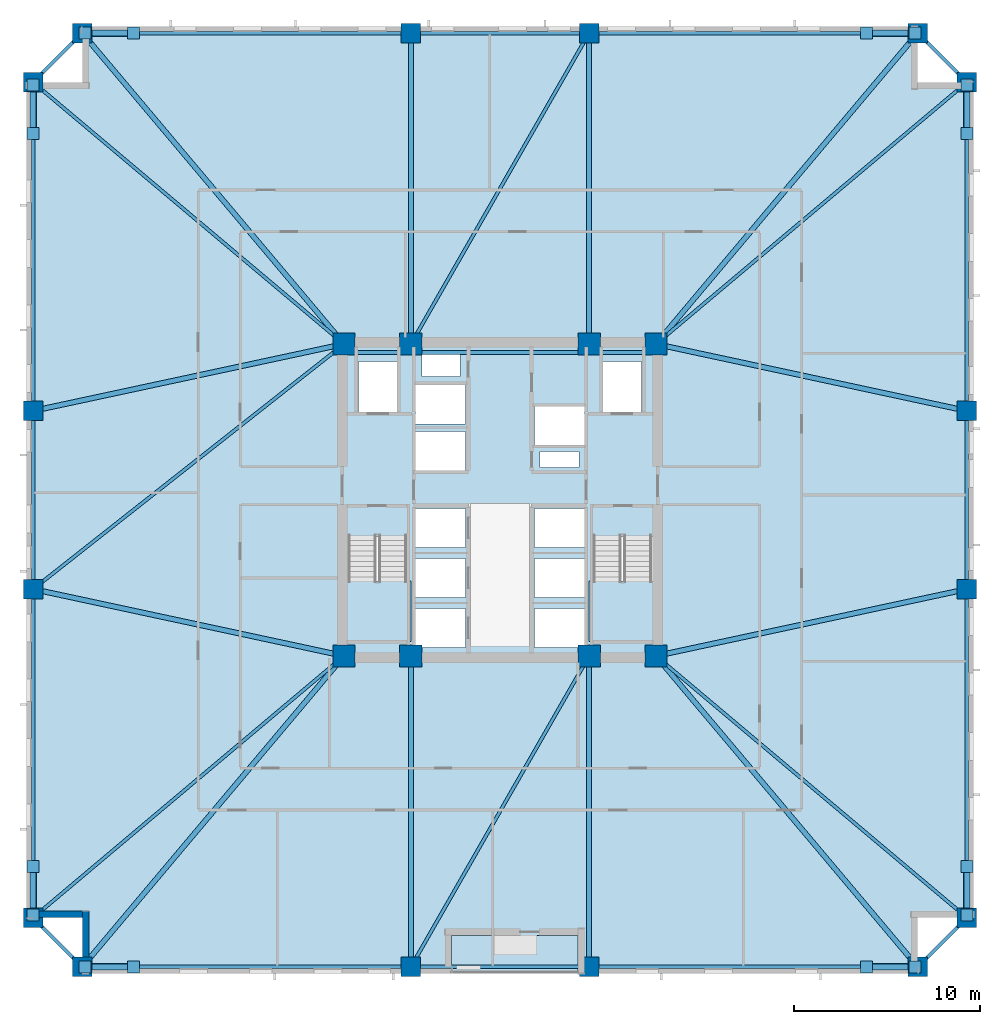
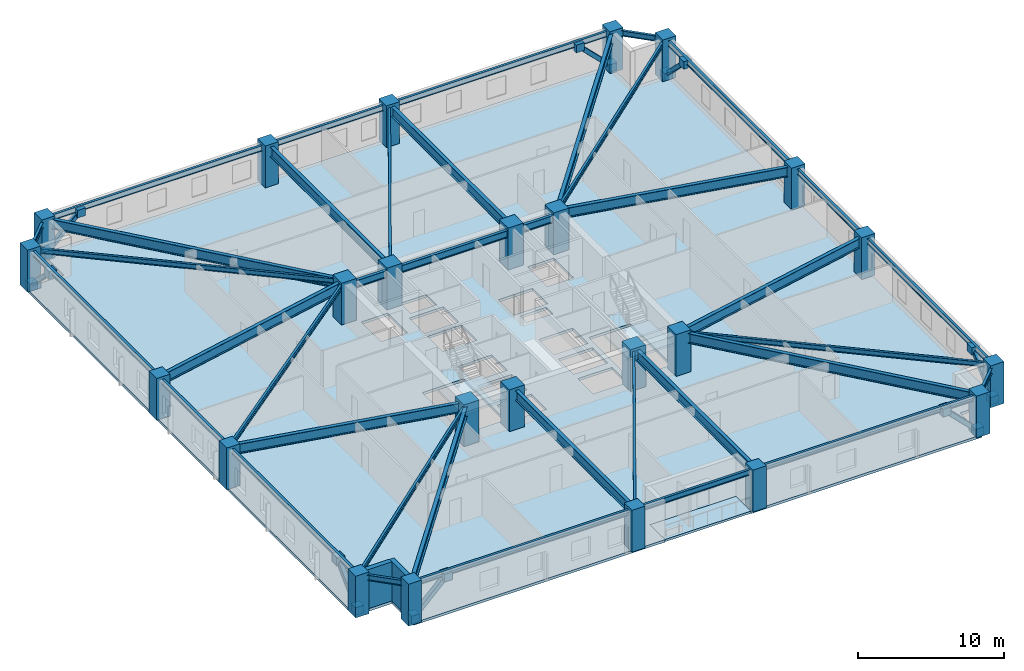
# One storey, part 1 of 11: 38 beams, 24 columns, 16 plates, 8 members, 4 slabs, 2 walls, 2 elements without a shape of their own.
"""IFC4 building model written with IfcOpenShell, lengths in metres."""

from ifc_helpers import new_model, si_unit, direction, frame, frame_2d, origin, origin_2d, place, context, subcontext, project, spatial, polyline, rectangle, hollow_rectangle, i_section, outline, extrude, material, layer, layer_set, material_profile, profile_set, type_object, element, aggregate, save


model = new_model("IFC4")

# Units and contexts
model_context = context("Model", 3, precision=1e-05, world=origin(), true_north=direction((0.0, 1.0)))
body_context = subcontext(model_context, "Body", "Model", "MODEL_VIEW")
ifc_project = project(units=[si_unit("LENGTHUNIT", "METRE"), si_unit("AREAUNIT", "SQUARE_METRE"), si_unit("VOLUMEUNIT", "CUBIC_METRE"), si_unit("PLANEANGLEUNIT", "RADIAN"), si_unit("MASSUNIT", "GRAM", prefix="KILO")], contexts=[model_context])

# Site, building, storey
site_placement = place(None, origin())
site = spatial("IfcSite", under=ifc_project, at=site_placement, CompositionType="ELEMENT")
building_placement = place(site_placement, origin())
building = spatial("IfcBuilding", under=site, at=building_placement, Name="Cairnveth Concourse Tower", CompositionType="ELEMENT")
storey_placement = place(building_placement, frame((0.0, 0.0, 41.0)))
storey = spatial("IfcBuildingStorey", under=building, at=storey_placement, Name="L10", CompositionType="ELEMENT", Elevation=41.0)

# Columns
ifc_material_1 = material(Name="Concrete N80 (80 MPa)", Category="concrete")
ifc_material_profile_1 = material_profile(ifc_material_1, rectangle(XDim=1.199951171875, YDim=1.199951171875, at=origin_2d()), Name="RC-COL-1200x1200")
ifc_profile_set_1 = profile_set([ifc_material_profile_1], Name="Concrete N80 (80 MPa)")
column_type_1 = type_object("IfcColumnType", Name="CORE COLUMN 1200X1200", PredefinedType="COLUMN", material=ifc_profile_set_1)
for number, where, z_axis, x_axis, name in (
    (1, (43.60009765625, 30.60009765625, 0.0), (0.0, 0.0, 1.0), (1.0, 0.0, 0.0), "Column CC1 L10"),
    (2, (47.199951171875, 30.60009765625, 0.0), (0.0, 0.0, 1.0), (1.0, 0.0, 0.0), "Column CC2 L10"),
    (3, (56.800048828125, 30.60009765625, 0.0), (0.0, 0.0, 1.0), (1.0, 0.0, 0.0), "Column CC3 L10"),
    (4, (60.39990234375, 30.60009765625, 0.0), (0.0, 0.0, 1.0), (1.0, 0.0, 0.0), "Column CC4 L10"),
    (5, (43.60009765625, 47.39990234375, 0.0), (0.0, 0.0, 1.0), (1.0, 0.0, 0.0), "Column CC5 L10"),
    (6, (47.199951171875, 47.39990234375, 0.0), (0.0, 0.0, 1.0), (1.0, 0.0, 0.0), "Column CC6 L10"),
    (7, (56.800048828125, 47.39990234375, 0.0), (0.0, 0.0, 1.0), (1.0, 0.0, 0.0), "Column CC7 L10"),
    (8, (60.39990234375, 47.39990234375, 0.0), (0.0, 0.0, 1.0), (1.0, 0.0, 0.0), "Column CC8 L10"),
):
    element("IfcColumn", number, at=place(storey_placement, frame(where, z_axis=z_axis, x_axis=x_axis)), inside=storey, type_object=column_type_1, Name=name, PredefinedType="COLUMN", context=body_context, shape_type="SweptSolid", body=[
        extrude(rectangle(XDim=1.199951171875, YDim=1.199951171875, at=origin_2d()), origin(), (0.0, 0.0, 1.0), 3.5),
    ])
ifc_material_2 = material(Name="Concrete N65 (65 MPa)", Category="concrete")
ifc_material_profile_2 = material_profile(ifc_material_2, rectangle(XDim=1.050048828125, YDim=1.050048828125, at=origin_2d()), Name="RC-COL-1050x1050")
ifc_profile_set_2 = profile_set([ifc_material_profile_2], Name="Concrete N65 (65 MPa)")
column_type_2 = type_object("IfcColumnType", Name="PERIMETER PIER COLUMN 1050X1050", PredefinedType="COLUMN", material=ifc_profile_set_2)
for number, where, z_axis, x_axis, name in (
    (9, (29.5, 13.85009765625, 0.0), (0.0, 0.0, 1.0), (1.0, 0.0, 0.0), "Column P-S1 L10"),
    (10, (47.199951171875, 13.85009765625, 0.0), (0.0, 0.0, 1.0), (1.0, 0.0, 0.0), "Column P-S2 L10"),
    (11, (56.800048828125, 13.85009765625, 0.0), (0.0, 0.0, 1.0), (1.0, 0.0, 0.0), "Column P-S3 L10"),
    (12, (74.5, 13.85009765625, 0.0), (0.0, 0.0, 1.0), (1.0, 0.0, 0.0), "Column P-S4 L10"),
    (13, (77.14990234375, 16.5, 0.0), (0.0, 0.0, 1.0), (0.0, 1.0, 0.0), "Column P-E1 L10"),
    (14, (77.14990234375, 34.199951171875, 0.0), (0.0, 0.0, 1.0), (0.0, 1.0, 0.0), "Column P-E2 L10"),
    (15, (77.14990234375, 43.800048828125, 0.0), (0.0, 0.0, 1.0), (0.0, 1.0, 0.0), "Column P-E3 L10"),
    (16, (77.14990234375, 61.5, 0.0), (0.0, 0.0, 1.0), (0.0, 1.0, 0.0), "Column P-E4 L10"),
    (17, (74.5, 64.14990234375, 0.0), (0.0, 0.0, 1.0), (1.0, 0.0, 0.0), "Column P-N1 L10"),
    (18, (56.800048828125, 64.14990234375, 0.0), (0.0, 0.0, 1.0), (1.0, 0.0, 0.0), "Column P-N2 L10"),
    (19, (47.199951171875, 64.14990234375, 0.0), (0.0, 0.0, 1.0), (1.0, 0.0, 0.0), "Column P-N3 L10"),
    (20, (29.5, 64.14990234375, 0.0), (0.0, 0.0, 1.0), (1.0, 0.0, 0.0), "Column P-N4 L10"),
    (21, (26.85009765625, 61.5, 0.0), (0.0, 0.0, 1.0), (0.0, 1.0, 0.0), "Column P-W1 L10"),
    (22, (26.85009765625, 43.800048828125, 0.0), (0.0, 0.0, 1.0), (0.0, 1.0, 0.0), "Column P-W2 L10"),
    (23, (26.85009765625, 34.199951171875, 0.0), (0.0, 0.0, 1.0), (0.0, 1.0, 0.0), "Column P-W3 L10"),
    (24, (26.85009765625, 16.5, 0.0), (0.0, 0.0, 1.0), (0.0, 1.0, 0.0), "Column P-W4 L10"),
):
    element("IfcColumn", number, at=place(storey_placement, frame(where, z_axis=z_axis, x_axis=x_axis)), inside=storey, type_object=column_type_2, Name=name, PredefinedType="COLUMN", context=body_context, shape_type="SweptSolid", body=[
        extrude(rectangle(XDim=1.050048828125, YDim=1.050048828125, at=origin_2d()), origin(), (0.0, 0.0, 1.0), 3.5),
    ])

# Beams
ifc_material_3 = material(Name="Steel Grade 350", Category="steel")
ifc_material_profile_3 = material_profile(ifc_material_3, i_section(OverallWidth=0.22802734375, OverallDepth=0.60693359375, WebThickness=0.01123046875, FlangeThickness=0.017333984375, FilletRadius=0.013916015625, at=origin_2d()), Name="610UB113")
ifc_profile_set_3 = profile_set([ifc_material_profile_3], Name="Steel Grade 350")
beam_type_1 = type_object("IfcBeamType", Name="CORE TIE BEAM 610UB113", PredefinedType="T_BEAM", material=ifc_profile_set_3)
for number, where, z_axis, x_axis, name in (
    (25, (43.60009765625, 46.949951171875, 2.9765625), (1.0, 0.0, 0.0), (0.0, 1.0, 0.0), "Beam CT-N1 L10"),
    (26, (56.800048828125, 46.949951171875, 2.9765625), (1.0, 0.0, 0.0), (0.0, 1.0, 0.0), "Beam CT-N3 L10"),
):
    element("IfcBeam", number, at=place(storey_placement, frame(where, z_axis=z_axis, x_axis=x_axis)), inside=storey, type_object=beam_type_1, Name=name, PredefinedType="T_BEAM", context=body_context, shape_type="SweptSolid", body=[
        extrude(i_section(OverallWidth=0.22802734375, OverallDepth=0.60693359375, WebThickness=0.01123046875, FlangeThickness=0.017333984375, FilletRadius=0.013916015625, at=origin_2d()), origin(), (0.0, 0.0, 1.0), 3.599853515625),
    ])
beam_1_placement = place(storey_placement, frame((47.199951171875, 46.949951171875, 2.9765625), z_axis=(1.0, 0.0, 0.0), x_axis=(0.0, 1.0, 0.0)))
element("IfcBeam", 27, at=beam_1_placement, inside=storey, type_object=beam_type_1, Name="Beam CT-N2 L10", PredefinedType="T_BEAM", context=body_context, shape_type="SweptSolid", body=[
    extrude(i_section(OverallWidth=0.22802734375, OverallDepth=0.60693359375, WebThickness=0.01123046875, FlangeThickness=0.017333984375, FilletRadius=0.013916015625, at=origin_2d()), origin(), (0.0, 0.0, 1.0), 9.60009765625),
])
ifc_material_profile_4 = material_profile(ifc_material_3, i_section(OverallWidth=0.177978515625, OverallDepth=0.406005859375, WebThickness=0.0078125, FlangeThickness=0.0126953125, FilletRadius=0.010986328125, at=origin_2d()), Name="410UB59.7")
ifc_profile_set_4 = profile_set([ifc_material_profile_4], Name="Steel Grade 350")
beam_type_2 = type_object("IfcBeamType", Name="ZONE 1 FLOOR JOIST 410UB59.7", PredefinedType="JOIST", material=ifc_profile_set_4)
for number, where, z_axis, x_axis, name in (
    (28, (26.85009765625, 16.5, 3.076904296875), (0.765027427674, 0.643997697905, 0.0), (-0.643997697905, 0.765027427674, 0.0), "Beam FJ-CSW2 L10"),
    (29, (77.14990234375, 16.5, 3.076904296875), (-0.765027427674, 0.643997697905, 0.0), (-0.643997697905, -0.765027427674, 0.0), "Beam FJ-CSE2 L10"),
    (30, (77.14990234375, 61.5, 3.076904296875), (-0.765027427674, -0.643997697905, 0.0), (0.643997697905, -0.765027427674, 0.0), "Beam FJ-CNE2 L10"),
    (31, (26.85009765625, 61.5, 3.076904296875), (0.765027427674, -0.643997697905, 0.0), (0.643997697905, 0.765027427674, 0.0), "Beam FJ-CNW2 L10"),
):
    element("IfcBeam", number, at=place(storey_placement, frame(where, z_axis=z_axis, x_axis=x_axis)), inside=storey, type_object=beam_type_2, Name=name, PredefinedType="JOIST", context=body_context, shape_type="SweptSolid", body=[
        extrude(i_section(OverallWidth=0.177978515625, OverallDepth=0.406005859375, WebThickness=0.0078125, FlangeThickness=0.0126953125, FilletRadius=0.010986328125, at=origin_2d()), origin(), (0.0, 0.0, 1.0), 21.89453125),
    ])
for number, where, z_axis, x_axis, name in (
    (32, (47.199951171875, 13.85009765625, 3.076904296875), (0.497257970706, 0.86760273776, 0.0), (-0.86760273776, 0.497257970706, 0.0), "Beam FJ-S-M1 L10"),
    (33, (47.199951171875, 47.39990234375, 3.076904296875), (0.497257970706, 0.86760273776, 0.0), (-0.86760273776, 0.497257970706, 0.0), "Beam FJ-N-M1 L10"),
):
    element("IfcBeam", number, at=place(storey_placement, frame(where, z_axis=z_axis, x_axis=x_axis)), inside=storey, type_object=beam_type_2, Name=name, PredefinedType="JOIST", context=body_context, shape_type="SweptSolid", body=[
        extrude(i_section(OverallWidth=0.177978515625, OverallDepth=0.406005859375, WebThickness=0.0078125, FlangeThickness=0.0126953125, FilletRadius=0.010986328125, at=origin_2d()), origin(), (0.0, 0.0, 1.0), 19.30615234375),
    ])
beam_2_placement = place(storey_placement, frame((26.85009765625, 34.199951171875, 3.076904296875), z_axis=(0.785423705995, 0.618958481694, 0.0), x_axis=(-0.618958481694, 0.785423705995, 0.0)))
element("IfcBeam", 34, at=beam_2_placement, inside=storey, type_object=beam_type_2, Name="Beam FJ-W-M1 L10", PredefinedType="JOIST", context=body_context, shape_type="SweptSolid", body=[
    extrude(i_section(OverallWidth=0.177978515625, OverallDepth=0.406005859375, WebThickness=0.0078125, FlangeThickness=0.0126953125, FilletRadius=0.010986328125, at=origin_2d()), origin(), (0.0, 0.0, 1.0), 21.326171875),
])

# Members
ifc_material_4 = material(Name="Steel C350L0 (350 MPa)", Category="steel")
ifc_material_profile_5 = material_profile(ifc_material_4, hollow_rectangle(XDim=0.35009765625, YDim=0.35009765625, WallThickness=0.01611328125, InnerFilletRadius=0.01611328125, OuterFilletRadius=0.031982421875, at=origin_2d()), Name="350x350x16.0SHS")
ifc_profile_set_5 = profile_set([ifc_material_profile_5], Name="Steel C350L0 (350 MPa)")
member_type = type_object("IfcMemberType", Name="ZONE 1 PIER BRACE 350X350X16SHS", PredefinedType="BRACE", material=ifc_profile_set_5)
for number, where, z_axis, x_axis, name in (
    (35, (29.64990234375, 13.85009765625, 0.25), (0.709834195787, 0.0, 0.704368805735), (0.0, 1.0, 0.0), "Structural Brace PB-S1 L10"),
    (36, (74.35009765625, 13.85009765625, 0.25), (-0.709834195787, 0.0, 0.704368805735), (0.0, -1.0, 0.0), "Structural Brace PB-S2 L10"),
    (37, (29.64990234375, 64.14990234375, 0.25), (0.709834195787, 0.0, 0.704368805735), (0.0, 1.0, 0.0), "Structural Brace PB-N1 L10"),
    (38, (74.35009765625, 64.14990234375, 0.25), (-0.709834195787, 0.0, 0.704368805735), (0.0, -1.0, 0.0), "Structural Brace PB-N2 L10"),
    (39, (26.85009765625, 16.64990234375, 0.25), (0.0, 0.709834195787, 0.704368805735), (-1.0, 0.0, 0.0), "Structural Brace PB-W1 L10"),
    (40, (26.85009765625, 61.35009765625, 0.25), (0.0, -0.709834195787, 0.704368805735), (1.0, 0.0, 0.0), "Structural Brace PB-W2 L10"),
    (41, (77.14990234375, 16.64990234375, 0.25), (0.0, 0.709834195787, 0.704368805735), (-1.0, 0.0, 0.0), "Structural Brace PB-E1 L10"),
    (42, (77.14990234375, 61.35009765625, 0.25), (0.0, -0.709834195787, 0.704368805735), (1.0, 0.0, 0.0), "Structural Brace PB-E2 L10"),
):
    element("IfcMember", number, at=place(storey_placement, frame(where, z_axis=z_axis, x_axis=x_axis)), inside=storey, type_object=member_type, Name=name, PredefinedType="BRACE", context=body_context, shape_type="SweptSolid", body=[
        extrude(hollow_rectangle(XDim=0.35009765625, YDim=0.35009765625, WallThickness=0.01611328125, InnerFilletRadius=0.01611328125, OuterFilletRadius=0.031982421875, at=origin_2d()), origin(), (0.0, 0.0, 1.0), 3.6630859375),
    ])

# Beams
ifc_material_profile_6 = material_profile(ifc_material_3, i_section(OverallWidth=0.27490234375, OverallDepth=0.81591796875, WebThickness=0.011962890625, FlangeThickness=0.028076171875, at=origin_2d()), Name="800WB192")
ifc_profile_set_6 = profile_set([ifc_material_profile_6], Name="Steel Grade 350")
beam_type_3 = type_object("IfcBeamType", Name="ZONE 1 RADIAL GIRDER 800WB192", PredefinedType="BEAM", material=ifc_profile_set_6)
for number, where, z_axis, x_axis, name in (
    (43, (47.199951171875, 13.85009765625, 2.8720703125), (0.0, 1.0, 0.0), (-1.0, 0.0, 0.0), "Beam RG-S1 L10"),
    (44, (56.800048828125, 13.85009765625, 2.8720703125), (0.0, 1.0, 0.0), (-1.0, 0.0, 0.0), "Beam RG-S2 L10"),
    (45, (47.199951171875, 47.39990234375, 2.8720703125), (0.0, 1.0, 0.0), (-1.0, 0.0, 0.0), "Beam RG-N1 L10"),
    (46, (56.800048828125, 47.39990234375, 2.8720703125), (0.0, 1.0, 0.0), (-1.0, 0.0, 0.0), "Beam RG-N2 L10"),
):
    element("IfcBeam", number, at=place(storey_placement, frame(where, z_axis=z_axis, x_axis=x_axis)), inside=storey, type_object=beam_type_3, Name=name, PredefinedType="BEAM", context=body_context, shape_type="SweptSolid", body=[
        extrude(i_section(OverallWidth=0.27490234375, OverallDepth=0.81591796875, WebThickness=0.011962890625, FlangeThickness=0.028076171875, at=origin_2d()), origin(), (0.0, 0.0, 1.0), 16.75),
    ])
for number, where, z_axis, x_axis, name in (
    (47, (26.85009765625, 34.199951171875, 2.8720703125), (0.977675861524, -0.210118799239, 0.0), (0.210118799239, 0.977675861524, 0.0), "Beam RG-W1 L10"),
    (48, (26.85009765625, 43.800048828125, 2.8720703125), (0.977675861524, 0.210118799239, 0.0), (-0.210118799239, 0.977675861524, 0.0), "Beam RG-W2 L10"),
    (49, (60.39990234375, 30.60009765625, 2.8720703125), (0.977675861524, 0.210118799239, 0.0), (-0.210118799239, 0.977675861524, 0.0), "Beam RG-E1 L10"),
    (50, (60.39990234375, 47.39990234375, 2.8720703125), (0.977675861524, -0.210118799239, 0.0), (0.210118799239, 0.977675861524, 0.0), "Beam RG-E2 L10"),
):
    element("IfcBeam", number, at=place(storey_placement, frame(where, z_axis=z_axis, x_axis=x_axis)), inside=storey, type_object=beam_type_3, Name=name, PredefinedType="BEAM", context=body_context, shape_type="SweptSolid", body=[
        extrude(i_section(OverallWidth=0.27490234375, OverallDepth=0.81591796875, WebThickness=0.011962890625, FlangeThickness=0.028076171875, at=origin_2d()), origin(), (0.0, 0.0, 1.0), 17.132568359375),
    ])
for number, where, z_axis, x_axis, name in (
    (51, (29.5, 13.85009765625, 2.8720703125), (0.643997697905, 0.765027427674, 0.0), (-0.765027427674, 0.643997697905, 0.0), "Beam RG-CSW L10"),
    (52, (74.5, 13.85009765625, 2.8720703125), (-0.643997697905, 0.765027427674, 0.0), (-0.765027427674, -0.643997697905, 0.0), "Beam RG-CSE L10"),
    (53, (74.5, 64.14990234375, 2.8720703125), (-0.643997697905, -0.765027427674, 0.0), (0.765027427674, -0.643997697905, 0.0), "Beam RG-CNE L10"),
    (54, (29.5, 64.14990234375, 2.8720703125), (0.643997697905, -0.765027427674, 0.0), (0.765027427674, 0.643997697905, 0.0), "Beam RG-CNW L10"),
):
    element("IfcBeam", number, at=place(storey_placement, frame(where, z_axis=z_axis, x_axis=x_axis)), inside=storey, type_object=beam_type_3, Name=name, PredefinedType="BEAM", context=body_context, shape_type="SweptSolid", body=[
        extrude(i_section(OverallWidth=0.27490234375, OverallDepth=0.81591796875, WebThickness=0.011962890625, FlangeThickness=0.028076171875, at=origin_2d()), origin(), (0.0, 0.0, 1.0), 21.89453125),
    ])
ifc_material_profile_7 = material_profile(ifc_material_3, i_section(OverallWidth=0.19091796875, OverallDepth=0.4599609375, WebThickness=0.010009765625, FlangeThickness=0.01611328125, FilletRadius=0.010986328125, at=origin_2d()), Name="460UB82.1")
ifc_profile_set_7 = profile_set([ifc_material_profile_7], Name="Steel Grade 350")
beam_type_4 = type_object("IfcBeamType", Name="ZONE 1 SPANDREL BEAM 460UB82.1", PredefinedType="SPANDREL", material=ifc_profile_set_7)
beam_3_placement = place(storey_placement, frame((29.5, 13.85009765625, 3.050048828125), z_axis=(1.0, 0.0, 0.0), x_axis=(0.0, 1.0, 0.0)))
element("IfcBeam", 55, at=beam_3_placement, inside=storey, type_object=beam_type_4, Name="Beam SP-S1 L10", PredefinedType="SPANDREL", context=body_context, shape_type="SweptSolid", body=[
    extrude(i_section(OverallWidth=0.19091796875, OverallDepth=0.4599609375, WebThickness=0.010009765625, FlangeThickness=0.01611328125, FilletRadius=0.010986328125, at=origin_2d()), origin(), (0.0, 0.0, 1.0), 17.699951171875),
])
beam_4_placement = place(storey_placement, frame((47.199951171875, 13.85009765625, 3.050048828125), z_axis=(1.0, 0.0, 0.0), x_axis=(0.0, 1.0, 0.0)))
element("IfcBeam", 56, at=beam_4_placement, inside=storey, type_object=beam_type_4, Name="Beam SP-S2 L10", PredefinedType="SPANDREL", context=body_context, shape_type="SweptSolid", body=[
    extrude(i_section(OverallWidth=0.19091796875, OverallDepth=0.4599609375, WebThickness=0.010009765625, FlangeThickness=0.01611328125, FilletRadius=0.010986328125, at=origin_2d()), origin(), (0.0, 0.0, 1.0), 9.60009765625),
])
for number, where, z_axis, x_axis, name in (
    (57, (56.800048828125, 13.85009765625, 3.050048828125), (1.0, 0.0, 0.0), (0.0, 1.0, 0.0), "Beam SP-S3 L10"),
    (58, (29.5, 64.14990234375, 3.050048828125), (1.0, 0.0, 0.0), (0.0, 1.0, 0.0), "Beam SP-N1 L10"),
):
    element("IfcBeam", number, at=place(storey_placement, frame(where, z_axis=z_axis, x_axis=x_axis)), inside=storey, type_object=beam_type_4, Name=name, PredefinedType="SPANDREL", context=body_context, shape_type="SweptSolid", body=[
        extrude(i_section(OverallWidth=0.19091796875, OverallDepth=0.4599609375, WebThickness=0.010009765625, FlangeThickness=0.01611328125, FilletRadius=0.010986328125, at=origin_2d()), origin(), (0.0, 0.0, 1.0), 17.699951171875),
    ])
beam_5_placement = place(storey_placement, frame((47.199951171875, 64.14990234375, 3.050048828125), z_axis=(1.0, 0.0, 0.0), x_axis=(0.0, 1.0, 0.0)))
element("IfcBeam", 59, at=beam_5_placement, inside=storey, type_object=beam_type_4, Name="Beam SP-N2 L10", PredefinedType="SPANDREL", context=body_context, shape_type="SweptSolid", body=[
    extrude(i_section(OverallWidth=0.19091796875, OverallDepth=0.4599609375, WebThickness=0.010009765625, FlangeThickness=0.01611328125, FilletRadius=0.010986328125, at=origin_2d()), origin(), (0.0, 0.0, 1.0), 9.60009765625),
])
for number, where, z_axis, x_axis, name in (
    (60, (56.800048828125, 64.14990234375, 3.050048828125), (1.0, 0.0, 0.0), (0.0, 1.0, 0.0), "Beam SP-N3 L10"),
    (61, (26.85009765625, 16.5, 3.050048828125), (0.0, 1.0, 0.0), (-1.0, 0.0, 0.0), "Beam SP-W1 L10"),
):
    element("IfcBeam", number, at=place(storey_placement, frame(where, z_axis=z_axis, x_axis=x_axis)), inside=storey, type_object=beam_type_4, Name=name, PredefinedType="SPANDREL", context=body_context, shape_type="SweptSolid", body=[
        extrude(i_section(OverallWidth=0.19091796875, OverallDepth=0.4599609375, WebThickness=0.010009765625, FlangeThickness=0.01611328125, FilletRadius=0.010986328125, at=origin_2d()), origin(), (0.0, 0.0, 1.0), 17.699951171875),
    ])
beam_6_placement = place(storey_placement, frame((26.85009765625, 34.199951171875, 3.050048828125), z_axis=(0.0, 1.0, 0.0), x_axis=(-1.0, 0.0, 0.0)))
element("IfcBeam", 62, at=beam_6_placement, inside=storey, type_object=beam_type_4, Name="Beam SP-W2 L10", PredefinedType="SPANDREL", context=body_context, shape_type="SweptSolid", body=[
    extrude(i_section(OverallWidth=0.19091796875, OverallDepth=0.4599609375, WebThickness=0.010009765625, FlangeThickness=0.01611328125, FilletRadius=0.010986328125, at=origin_2d()), origin(), (0.0, 0.0, 1.0), 9.60009765625),
])
for number, where, z_axis, x_axis, name in (
    (63, (26.85009765625, 43.800048828125, 3.050048828125), (0.0, 1.0, 0.0), (-1.0, 0.0, 0.0), "Beam SP-W3 L10"),
    (64, (77.14990234375, 16.5, 3.050048828125), (0.0, 1.0, 0.0), (-1.0, 0.0, 0.0), "Beam SP-E1 L10"),
):
    element("IfcBeam", number, at=place(storey_placement, frame(where, z_axis=z_axis, x_axis=x_axis)), inside=storey, type_object=beam_type_4, Name=name, PredefinedType="SPANDREL", context=body_context, shape_type="SweptSolid", body=[
        extrude(i_section(OverallWidth=0.19091796875, OverallDepth=0.4599609375, WebThickness=0.010009765625, FlangeThickness=0.01611328125, FilletRadius=0.010986328125, at=origin_2d()), origin(), (0.0, 0.0, 1.0), 17.699951171875),
    ])
beam_7_placement = place(storey_placement, frame((77.14990234375, 34.199951171875, 3.050048828125), z_axis=(0.0, 1.0, 0.0), x_axis=(-1.0, 0.0, 0.0)))
element("IfcBeam", 65, at=beam_7_placement, inside=storey, type_object=beam_type_4, Name="Beam SP-E2 L10", PredefinedType="SPANDREL", context=body_context, shape_type="SweptSolid", body=[
    extrude(i_section(OverallWidth=0.19091796875, OverallDepth=0.4599609375, WebThickness=0.010009765625, FlangeThickness=0.01611328125, FilletRadius=0.010986328125, at=origin_2d()), origin(), (0.0, 0.0, 1.0), 9.60009765625),
])
beam_8_placement = place(storey_placement, frame((77.14990234375, 43.800048828125, 3.050048828125), z_axis=(0.0, 1.0, 0.0), x_axis=(-1.0, 0.0, 0.0)))
element("IfcBeam", 66, at=beam_8_placement, inside=storey, type_object=beam_type_4, Name="Beam SP-E3 L10", PredefinedType="SPANDREL", context=body_context, shape_type="SweptSolid", body=[
    extrude(i_section(OverallWidth=0.19091796875, OverallDepth=0.4599609375, WebThickness=0.010009765625, FlangeThickness=0.01611328125, FilletRadius=0.010986328125, at=origin_2d()), origin(), (0.0, 0.0, 1.0), 17.699951171875),
])
for number, where, z_axis, x_axis, name in (
    (67, (26.85009765625, 16.5, 3.050048828125), (0.707106781187, -0.707106781187, 0.0), (0.707106781187, 0.707106781187, 0.0), "Beam SP-SW L10"),
    (68, (74.5, 13.85009765625, 3.050048828125), (0.707106781187, 0.707106781187, 0.0), (-0.707106781187, 0.707106781187, 0.0), "Beam SP-SE L10"),
    (69, (74.5, 64.14990234375, 3.050048828125), (0.707106781187, -0.707106781187, 0.0), (0.707106781187, 0.707106781187, 0.0), "Beam SP-NE L10"),
    (70, (26.85009765625, 61.5, 3.050048828125), (0.707106781187, 0.707106781187, 0.0), (-0.707106781187, 0.707106781187, 0.0), "Beam SP-NW L10"),
):
    element("IfcBeam", number, at=place(storey_placement, frame(where, z_axis=z_axis, x_axis=x_axis)), inside=storey, type_object=beam_type_4, Name=name, PredefinedType="SPANDREL", context=body_context, shape_type="SweptSolid", body=[
        extrude(i_section(OverallWidth=0.19091796875, OverallDepth=0.4599609375, WebThickness=0.010009765625, FlangeThickness=0.01611328125, FilletRadius=0.010986328125, at=origin_2d()), origin(), (0.0, 0.0, 1.0), 3.74755859375),
    ])

# Slab
ifc_material_5 = material(Name="Concrete N50 (50 MPa)", Category="concrete")
ifc_layer_1 = layer(ifc_material_5, 0.219970703125)
ifc_layer_set_1 = layer_set([ifc_layer_1], Name="Concrete N50 (50 MPa)")
slab_type_1 = type_object("IfcSlabType", Name="LOWER TOWER COMPOSITE SLAB 220", PredefinedType="FLOOR", material=ifc_layer_set_1)
slab_1_placement = place(storey_placement, frame((0.0, 0.0, -0.219970703125)))
element("IfcSlab", 71, at=slab_1_placement, inside=storey, type_object=slab_type_1, Name="Tower Floor Slab L10", PredefinedType="FLOOR", context=body_context, shape_type="SweptSolid", body=[
    extrude(outline(polyline([(49.39990234375, 13.5), (49.39990234375, 15.550048828125), (56.199951171875, 15.550048828125), (56.199951171875, 13.5), (74.5, 13.5), (74.5, 16.5), (77.5, 16.5), (77.5, 61.5), (74.5, 61.5), (74.5, 64.5), (29.5, 64.5), (29.5, 61.5), (26.5, 61.5), (26.5, 16.5), (29.5, 16.5), (29.5, 13.5), (49.39990234375, 13.5)]), holes=[polyline([(43.760009765625, 31.360107421875), (47.06005859375, 31.360107421875), (47.06005859375, 37.0400390625), (43.760009765625, 37.0400390625), (43.760009765625, 31.360107421875)]), polyline([(56.93994140625, 31.360107421875), (60.239990234375, 31.360107421875), (60.239990234375, 37.0400390625), (56.93994140625, 37.0400390625), (56.93994140625, 31.360107421875)]), polyline([(44.3701171875, 43.75), (46.469970703125, 43.75), (46.469970703125, 46.449951171875), (44.3701171875, 46.449951171875), (44.3701171875, 43.75)]), polyline([(57.530029296875, 43.75), (59.6298828125, 43.75), (59.6298828125, 46.449951171875), (57.530029296875, 46.449951171875), (57.530029296875, 43.75)]), polyline([(47.449951171875, 31.050048828125), (50.14990234375, 31.050048828125), (50.14990234375, 33.14990234375), (47.449951171875, 33.14990234375), (47.449951171875, 31.050048828125)]), polyline([(47.449951171875, 33.75), (50.14990234375, 33.75), (50.14990234375, 35.85009765625), (47.449951171875, 35.85009765625), (47.449951171875, 33.75)]), polyline([(47.449951171875, 36.449951171875), (50.14990234375, 36.449951171875), (50.14990234375, 38.550048828125), (47.449951171875, 38.550048828125), (47.449951171875, 36.449951171875)]), polyline([(53.85009765625, 31.050048828125), (56.550048828125, 31.050048828125), (56.550048828125, 33.14990234375), (53.85009765625, 33.14990234375), (53.85009765625, 31.050048828125)]), polyline([(53.85009765625, 33.75), (56.550048828125, 33.75), (56.550048828125, 35.85009765625), (53.85009765625, 35.85009765625), (53.85009765625, 33.75)]), polyline([(53.85009765625, 36.449951171875), (56.550048828125, 36.449951171875), (56.550048828125, 38.550048828125), (53.85009765625, 38.550048828125), (53.85009765625, 36.449951171875)]), polyline([(47.449951171875, 40.60009765625), (50.14990234375, 40.60009765625), (50.14990234375, 42.699951171875), (47.449951171875, 42.699951171875), (47.449951171875, 40.60009765625)]), polyline([(47.449951171875, 43.10009765625), (50.14990234375, 43.10009765625), (50.14990234375, 45.199951171875), (47.449951171875, 45.199951171875), (47.449951171875, 43.10009765625)]), polyline([(53.85009765625, 41.949951171875), (56.550048828125, 41.949951171875), (56.550048828125, 44.050048828125), (53.85009765625, 44.050048828125), (53.85009765625, 41.949951171875)]), polyline([(47.800048828125, 45.64990234375), (49.85009765625, 45.64990234375), (49.85009765625, 47.050048828125), (47.800048828125, 47.050048828125), (47.800048828125, 45.64990234375)]), polyline([(54.14990234375, 40.75), (56.25, 40.75), (56.25, 41.6201171875), (54.14990234375, 41.6201171875), (54.14990234375, 40.75)])]), origin(), (0.0, 0.0, 1.0), 0.219970703125),
])

# Plates
ifc_layer_2 = layer(ifc_material_3, 0.031982421875)
ifc_layer_set_2 = layer_set([ifc_layer_2], Name="Steel Grade 350")
plate_type = type_object("IfcPlateType", Name="PERIMETER BRACE GUSSET PLATE 32", PredefinedType="USERDEFINED", material=ifc_layer_set_2)
for number, where, z_axis, x_axis, name in (
    (72, (29.64990234375, 13.85009765625, -0.06982421875), (0.0, 0.0, 1.0), (1.0, 0.0, 0.0), "Structural Node Plate 0141 L10"),
    (73, (32.25, 13.85009765625, 2.51025390625), (0.0, 0.0, 1.0), (1.0, 0.0, 0.0), "Structural Node Plate 0142 L10"),
    (74, (74.35009765625, 13.85009765625, -0.06982421875), (0.0, 0.0, 1.0), (1.0, 0.0, 0.0), "Structural Node Plate 0143 L10"),
    (75, (71.75, 13.85009765625, 2.51025390625), (0.0, 0.0, 1.0), (1.0, 0.0, 0.0), "Structural Node Plate 0144 L10"),
    (76, (29.64990234375, 64.14990234375, -0.06982421875), (0.0, 0.0, 1.0), (1.0, 0.0, 0.0), "Structural Node Plate 0145 L10"),
    (77, (32.25, 64.14990234375, 2.51025390625), (0.0, 0.0, 1.0), (1.0, 0.0, 0.0), "Structural Node Plate 0146 L10"),
    (78, (74.35009765625, 64.14990234375, -0.06982421875), (0.0, 0.0, 1.0), (1.0, 0.0, 0.0), "Structural Node Plate 0147 L10"),
    (79, (71.75, 64.14990234375, 2.51025390625), (0.0, 0.0, 1.0), (1.0, 0.0, 0.0), "Structural Node Plate 0148 L10"),
    (80, (26.85009765625, 16.64990234375, -0.06982421875), (0.0, 0.0, 1.0), (1.0, 0.0, 0.0), "Structural Node Plate 0149 L10"),
    (81, (26.85009765625, 19.25, 2.51025390625), (0.0, 0.0, 1.0), (1.0, 0.0, 0.0), "Structural Node Plate 0150 L10"),
    (82, (26.85009765625, 61.35009765625, -0.06982421875), (0.0, 0.0, 1.0), (1.0, 0.0, 0.0), "Structural Node Plate 0151 L10"),
    (83, (26.85009765625, 58.75, 2.51025390625), (0.0, 0.0, 1.0), (1.0, 0.0, 0.0), "Structural Node Plate 0152 L10"),
    (84, (77.14990234375, 16.64990234375, -0.06982421875), (0.0, 0.0, 1.0), (1.0, 0.0, 0.0), "Structural Node Plate 0153 L10"),
    (85, (77.14990234375, 19.25, 2.51025390625), (0.0, 0.0, 1.0), (1.0, 0.0, 0.0), "Structural Node Plate 0154 L10"),
    (86, (77.14990234375, 61.35009765625, -0.06982421875), (0.0, 0.0, 1.0), (1.0, 0.0, 0.0), "Structural Node Plate 0155 L10"),
    (87, (77.14990234375, 58.75, 2.51025390625), (0.0, 0.0, 1.0), (1.0, 0.0, 0.0), "Structural Node Plate 0156 L10"),
):
    element("IfcPlate", number, at=place(storey_placement, frame(where, z_axis=z_axis, x_axis=x_axis)), inside=storey, type_object=plate_type, Name=name, ObjectType="GUSSET PLATE", PredefinedType="USERDEFINED", context=body_context, shape_type="SweptSolid", body=[
        extrude(rectangle(XDim=0.639892578125, YDim=0.639892578125, at=origin_2d()), origin(), (0.0, 0.0, 1.0), 0.639892578125),
    ])

# Slab
ifc_layer_3 = layer(ifc_material_5, 0.18994140625)
ifc_layer_set_3 = layer_set([ifc_layer_3], Name="Concrete N50 (50 MPa)")
slab_type_2 = type_object("IfcSlabType", Name="SPIRAL OUTDOOR TERRACE SLAB 190", PredefinedType="FLOOR", material=ifc_layer_set_3)
slab_2_placement = place(storey_placement, frame((0.0, 0.0, -0.18994140625)))
element("IfcSlab", 88, at=slab_2_placement, inside=storey, type_object=slab_type_2, Name="Spiral Terrace Slab L10", PredefinedType="FLOOR", context=body_context, shape_type="SweptSolid", body=[
    extrude(outline(polyline([(49.39990234375, 13.5), (56.199951171875, 13.5), (56.199951171875, 15.550048828125), (49.39990234375, 15.550048828125), (49.39990234375, 13.5)])), origin(), (0.0, 0.0, 1.0), 0.18994140625),
])

# Stair, slab
ifc_material_6 = material(Name="Precast concrete N50 (50 MPa)", Category="concrete")
stair_type = type_object("IfcStairType", Name="CORE DOG-LEG FIRE STAIR 1500", PredefinedType="HALF_TURN_STAIR", material=ifc_material_6)
stair_1_placement = place(storey_placement, origin())
stair_1 = element("IfcStair", 89, at=stair_1_placement, inside=storey, type_object=stair_type, Name="L10 Fire-Isolated Stair ST-1", PredefinedType="HALF_TURN_STAIR")
ifc_layer_4 = layer(ifc_material_5, 0.199951171875)
ifc_layer_set_4 = layer_set([ifc_layer_4], Name="Concrete N50 (50 MPa)")
slab_type_3 = type_object("IfcSlabType", Name="STAIR HALF LANDING SLAB 200", PredefinedType="LANDING", material=ifc_layer_set_4)
slab_3_placement = place(storey_placement, frame((0.0, 0.0, 1.550048828125)))
slab_3 = element("IfcSlab", 90, at=slab_3_placement, type_object=slab_type_3, Name="ST-1 landing 1", PredefinedType="LANDING", context=body_context, shape_type="SweptSolid", body=[
    extrude(outline(polyline([(43.6201171875, 34.639892578125), (43.6201171875, 31.3701171875), (47.199951171875, 31.3701171875), (47.199951171875, 34.639892578125), (43.6201171875, 34.639892578125)])), origin(), (0.0, 0.0, 1.0), 0.199951171875),
])
aggregate(stair_1, [slab_3])

stair_2_placement = place(storey_placement, origin())
stair_2 = element("IfcStair", 91, at=stair_2_placement, inside=storey, type_object=stair_type, Name="L10 Fire-Isolated Stair ST-2", PredefinedType="HALF_TURN_STAIR")
slab_4_placement = place(storey_placement, frame((0.0, 0.0, 1.550048828125)))
slab_4 = element("IfcSlab", 92, at=slab_4_placement, type_object=slab_type_3, Name="ST-2 landing 1", PredefinedType="LANDING", context=body_context, shape_type="SweptSolid", body=[
    extrude(outline(polyline([(56.800048828125, 34.639892578125), (56.800048828125, 31.3701171875), (60.3798828125, 31.3701171875), (60.3798828125, 34.639892578125), (56.800048828125, 34.639892578125)])), origin(), (0.0, 0.0, 1.0), 0.199951171875),
])
aggregate(stair_2, [slab_4])

# Walls
ifc_material_7 = material(Name="Hawthorn Red-Ochre Fired Clay Brick Masonry", Category="masonry")
ifc_layer_5 = layer(ifc_material_7, 0.360107421875)
ifc_layer_set_5 = layer_set([ifc_layer_5], Name="Hawthorn Red-Ochre Fired Clay Brick Masonry")
wall_type = type_object("IfcWallType", Name="ZONE 1 BRICK PIER SPANDREL WALL 360", PredefinedType="SOLIDWALL", material=ifc_layer_set_5)
wall_1_placement = place(storey_placement, frame((29.679931640625, 13.5, 0.0), z_axis=(0.0, 0.0, 1.0), x_axis=(0.0, 1.0, 0.0)))
element("IfcWall", 93, at=wall_1_placement, inside=storey, type_object=wall_type, Name="Exterior Wall EW-L10-S01", PredefinedType="SOLIDWALL", context=body_context, shape_type="SweptSolid", body=[
    extrude(rectangle(XDim=3.360107421875, YDim=0.360107421875, at=frame_2d((1.68017578125, 0.0))), origin(), (0.0, 0.0, 1.0), 3.280029296875),
])
wall_2_placement = place(storey_placement, frame((29.52197265625, 16.679931640625, 0.0), z_axis=(0.0, 0.0, 1.0), x_axis=(-1.0, 0.0, 0.0)))
element("IfcWall", 94, at=wall_2_placement, inside=storey, type_object=wall_type, Name="Exterior Wall EW-L10-S02", PredefinedType="SOLIDWALL", context=body_context, shape_type="SweptSolid", body=[
    extrude(rectangle(XDim=2.68408203125, YDim=0.360107421875, at=frame_2d((1.342041015625, 0.0))), origin(), (0.0, 0.0, 1.0), 3.280029296875),
])

save(model, "model.ifc")
